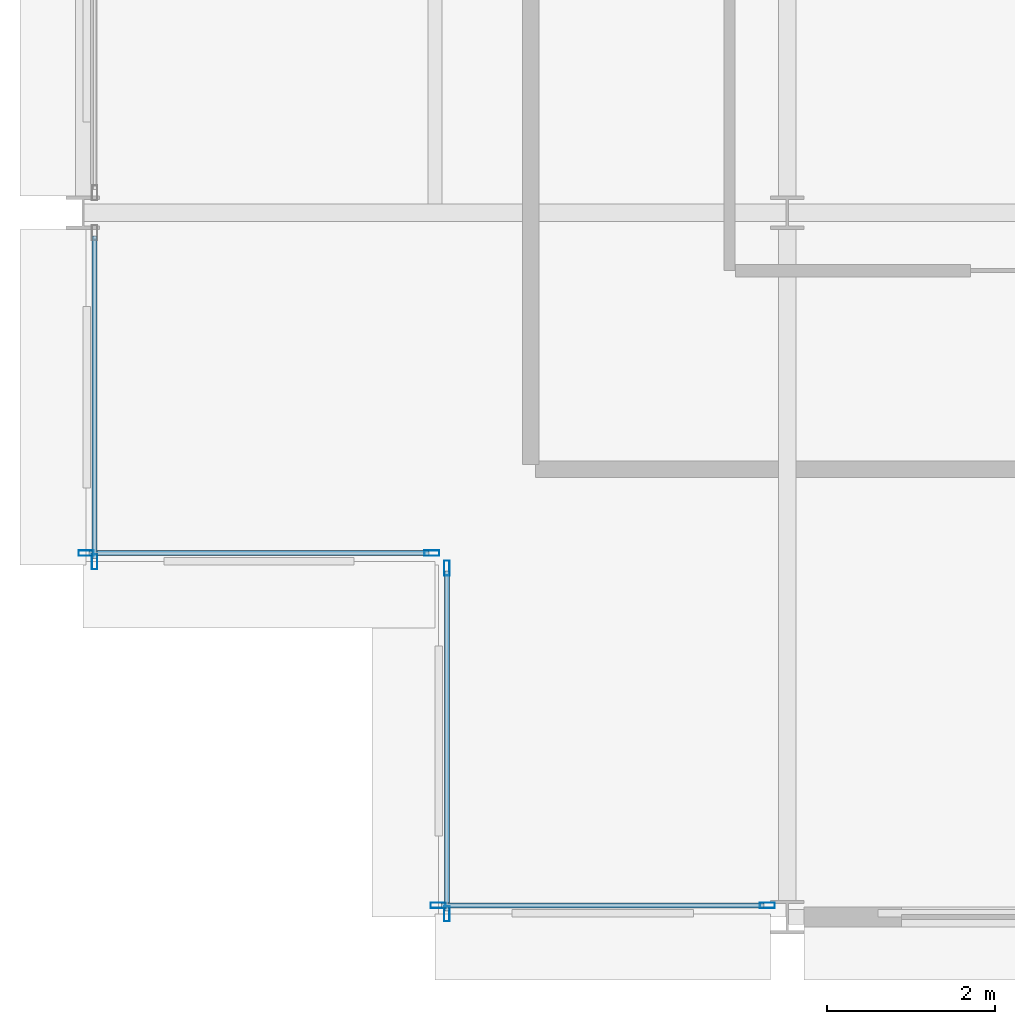
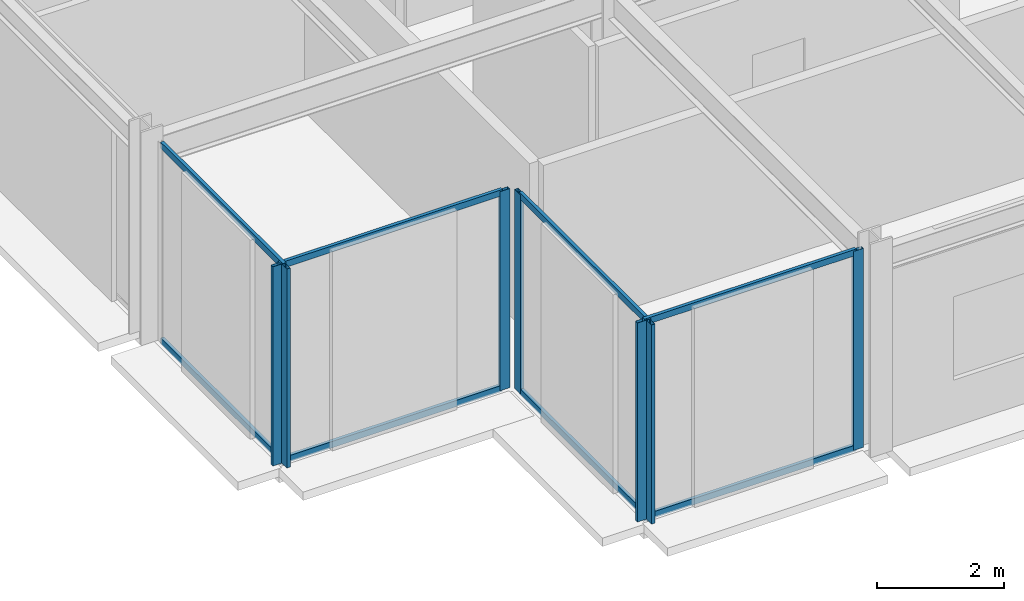
# One storey, part 2 of 30: 15 members, 4 elements without a shape of their own.
"""IFC4 building model written with IfcOpenShell, lengths in metres."""

import ifcopenshell
import ifcopenshell.guid

model = None  # the IFC model being written
_history = None  # IfcOwnerHistory: only IFC2X3 demands one
_inside = {}  # id of a spatial element -> (the spatial element, [elements in it])
_under = {}  # id of a project, library or spatial element -> (it, [spatial elements below it])
_declared = {}  # id of a project -> (the project, [libraries it declares])
_typed = {}  # id of a type object -> (the type object, [elements of that type])
_made_of = {}  # id of a material, layer set ... -> (it, [elements and type objects made of it])


def new_model(schema):
    """Start an empty IFC model of exactly this schema.

    Asked for "IFC4X3", IfcOpenShell would pick the latest addendum, in which some entities
    have other attributes; the version numbers below select the first issue.
    IFC2X3 requires an IfcOwnerHistory on every rooted entity: one is made here for all.
    """
    global model, _history
    if schema == "IFC4X3":
        model = ifcopenshell.file(schema_version=(4, 3, 0, 0))
    else:
        model = ifcopenshell.file(schema=schema)
    _inside.clear()
    _under.clear()
    _declared.clear()
    _typed.clear()
    _made_of.clear()
    _history = None
    if model.schema == "IFC2X3":
        org = make("IfcOrganization", Name="unknown")
        user = make(
            "IfcPersonAndOrganization",
            ThePerson=make("IfcPerson", FamilyName="unknown"),
            TheOrganization=org,
        )
        app = make(
            "IfcApplication",
            ApplicationDeveloper=org,
            Version="unknown",
            ApplicationFullName="unknown",
            ApplicationIdentifier="unknown",
        )
        _history = make(
            "IfcOwnerHistory",
            OwningUser=user,
            OwningApplication=app,
            ChangeAction="ADDED",
            CreationDate=0,
        )
    return model


def make(cls, **values):
    """One entity of the class cls with the attributes given. An attribute that is None is left unset."""
    return model.create_entity(
        cls, **{name: value for name, value in values.items() if value is not None}
    )


def rooted(cls, **values):
    """An entity with a GlobalId (a new one), such as an element, a storey or a relation."""
    return make(cls, GlobalId=ifcopenshell.guid.new(), OwnerHistory=_history, **values)


def si_unit(unit_type, name, prefix=None):
    """IfcSIUnit, for example si_unit("LENGTHUNIT", "METRE", prefix="MILLI")."""
    return make("IfcSIUnit", UnitType=unit_type, Prefix=prefix, Name=name)


def assignment(units):
    """IfcUnitAssignment: the units of a project."""
    return None if units is None else make("IfcUnitAssignment", Units=units)


def point(xyz):
    """IfcCartesianPoint."""
    return None if xyz is None else make("IfcCartesianPoint", Coordinates=xyz)


def direction(xyz):
    """IfcDirection."""
    return None if xyz is None else make("IfcDirection", DirectionRatios=xyz)


def frame(location, z_axis=None, x_axis=None):
    """IfcAxis2Placement3D, a coordinate frame: its origin and axes. An axis left out is left unset."""
    return make(
        "IfcAxis2Placement3D",
        Location=point(location),
        Axis=direction(z_axis),
        RefDirection=direction(x_axis),
    )


def frame_2d(location, x_axis=None):
    """IfcAxis2Placement2D, a coordinate frame in the plane: its origin and x axis."""
    return make(
        "IfcAxis2Placement2D", Location=point(location), RefDirection=direction(x_axis)
    )


def origin():
    """The frame at (0, 0, 0) with its axes left unset."""
    return frame((0.0, 0.0, 0.0))


def origin_2d():
    """The frame at (0, 0) in the plane with its x axis left unset."""
    return frame_2d((0.0, 0.0))


def place(relative_to, where):
    """IfcLocalPlacement: puts the frame where relative to a parent placement (None: the world)."""
    return make(
        "IfcLocalPlacement", PlacementRelTo=relative_to, RelativePlacement=where
    )


def context(
    kind, dimensions, precision=None, world=None, true_north=None, identifier=None
):
    """IfcGeometricRepresentationContext, for example the 3D "Model" context."""
    return make(
        "IfcGeometricRepresentationContext",
        ContextIdentifier=identifier,
        ContextType=kind,
        CoordinateSpaceDimension=dimensions,
        Precision=precision,
        WorldCoordinateSystem=world,
        TrueNorth=true_north,
    )


def subcontext(parent, identifier, kind, view, scale=None):
    """IfcGeometricRepresentationSubContext, for example "Body" below "Model"."""
    return make(
        "IfcGeometricRepresentationSubContext",
        ContextIdentifier=identifier,
        ContextType=kind,
        ParentContext=parent,
        TargetScale=scale,
        TargetView=view,
    )


def project(units=None, contexts=None):
    """IfcProject with its units and contexts."""
    return rooted(
        "IfcProject",
        Name="project",
        RepresentationContexts=contexts,
        UnitsInContext=assignment(units),
    )


def spatial(cls, under=None, at=None, **own):
    """A site, building, storey or space (cls), placed at a placement, below another one or the project."""
    s = rooted(cls, ObjectPlacement=at, **own)
    if under is not None:
        _under.setdefault(under.id(), (under, []))[1].append(s)
    return s


def profile(cls, at=None, kind="AREA", **sizes):
    """A parametric profile (cls). Its sizes go by their IFC names, for example OverallWidth=200.0."""
    return make(cls, ProfileType=kind, Position=at, **sizes)


def hollow_rectangle(**sizes):
    """IfcRectangleHollowProfileDef."""
    return profile("IfcRectangleHollowProfileDef", **sizes)


def extrude(swept, where, along, depth):
    """IfcExtrudedAreaSolid: the profile swept, set in the frame where, extruded along a direction by depth."""
    return make(
        "IfcExtrudedAreaSolid",
        SweptArea=swept,
        Position=where,
        ExtrudedDirection=direction(along),
        Depth=depth,
    )


def shape(context_of_items, identifier, shape_type, items):
    """IfcShapeRepresentation: the items that make up one representation, for example the "Body"."""
    return make(
        "IfcShapeRepresentation",
        ContextOfItems=context_of_items,
        RepresentationIdentifier=identifier,
        RepresentationType=shape_type,
        Items=items,
    )


def material(Name=None, Category=None):
    """IfcMaterial."""
    return make("IfcMaterial", Name=Name, Category=Category)


def layer(
    of_material, thickness, ventilated=None, Name=None, Category=None, Priority=None
):
    """IfcMaterialLayer: one layer of a wall or slab, of a material (None: an air gap)."""
    return make(
        "IfcMaterialLayer",
        Material=of_material,
        LayerThickness=thickness,
        IsVentilated=ventilated,
        Name=Name,
        Category=Category,
        Priority=Priority,
    )


def layer_set(layers, Name=None):
    """IfcMaterialLayerSet."""
    return make("IfcMaterialLayerSet", MaterialLayers=layers, LayerSetName=Name)


def material_profile(
    of_material, cross_section, Name=None, Category=None, Priority=None
):
    """IfcMaterialProfile: a cross section and its material."""
    return make(
        "IfcMaterialProfile",
        Name=Name,
        Material=of_material,
        Profile=cross_section,
        Priority=Priority,
        Category=Category,
    )


def profile_set(profiles, Name=None, composite=None):
    """IfcMaterialProfileSet."""
    return make(
        "IfcMaterialProfileSet",
        Name=Name,
        MaterialProfiles=profiles,
        CompositeProfile=composite,
    )


def made_of(thing, what):
    """Note that an element or type object is made of a material, layer set ...; save() writes the relation."""
    if what is not None:
        _made_of.setdefault(what.id(), (what, []))[1].append(thing)
    return thing


def type_object(cls, material=None, **own):
    """A type object (cls), such as IfcWallType, which elements share."""
    return made_of(rooted(cls, **own), material)


def element(
    cls,
    number,
    at=None,
    inside=None,
    cuts=None,
    type_object=None,
    material=None,
    context=None,
    identifier="Body",
    shape_type=None,
    held_by="IfcProductDefinitionShape",
    body=None,
    shapes=None,
    **own,
):
    """One element of the class cls, such as IfcWall. Its Tag is "e" and its number.

    at: its placement. inside: the storey or other place that contains it. cuts: it is an
    opening in that element (IfcRelVoidsElement). A single representation is given by context,
    identifier, shape_type and body (its items); several are given by shapes. held_by: the class
    of the entity that holds the representations. save() writes the other relations.
    """
    e = rooted(cls, Tag="e%d" % number, ObjectPlacement=at, **own)
    if body is not None:
        shapes = [shape(context, identifier, shape_type, body)]
    if shapes is not None:
        e.Representation = make(held_by, Representations=shapes)
    if inside is not None:
        _inside.setdefault(inside.id(), (inside, []))[1].append(e)
    if cuts is not None:
        rooted(
            "IfcRelVoidsElement", RelatingBuildingElement=cuts, RelatedOpeningElement=e
        )
    if type_object is not None:
        _typed.setdefault(type_object.id(), (type_object, []))[1].append(e)
    return made_of(e, material)


def aggregate(whole, parts):
    """IfcRelAggregates: a whole, such as a stair, and the parts it consists of."""
    return rooted("IfcRelAggregates", RelatingObject=whole, RelatedObjects=parts)


def save(model, path):
    """Write the relations noted so far, then the file.

    IfcRelAggregates (storeys below a building ...), IfcRelContainedInSpatialStructure (elements
    in a storey), IfcRelDefinesByType, IfcRelAssociatesMaterial and IfcRelDeclares: one each for
    every whole, place, type object, material and project.
    """
    for whole, parts in _under.values():
        aggregate(whole, parts)
    for where, things in _inside.values():
        rooted(
            "IfcRelContainedInSpatialStructure",
            RelatedElements=things,
            RelatingStructure=where,
        )
    for kind, things in _typed.values():
        rooted("IfcRelDefinesByType", RelatedObjects=things, RelatingType=kind)
    for what, things in _made_of.values():
        rooted("IfcRelAssociatesMaterial", RelatedObjects=things, RelatingMaterial=what)
    for by, libraries in _declared.values():
        rooted("IfcRelDeclares", RelatingContext=by, RelatedDefinitions=libraries)
    model.write(path)


model = new_model("IFC4")

# Units and contexts
model_context = context("Model", 3, precision=1e-05, world=origin(), true_north=direction((0.0, 1.0)))
body_context = subcontext(model_context, "Body", "Model", "MODEL_VIEW")
ifc_project = project(units=[si_unit("LENGTHUNIT", "METRE"), si_unit("AREAUNIT", "SQUARE_METRE"), si_unit("VOLUMEUNIT", "CUBIC_METRE"), si_unit("PLANEANGLEUNIT", "RADIAN"), si_unit("MASSUNIT", "GRAM", prefix="KILO")], contexts=[model_context])

# Site, building, storey
site_placement = place(None, origin())
site = spatial("IfcSite", under=ifc_project, at=site_placement, CompositionType="ELEMENT")
building_placement = place(site_placement, origin())
building = spatial("IfcBuilding", under=site, at=building_placement, Name="Nerrivon Quay Data Exchange", CompositionType="ELEMENT")
storey_placement = place(building_placement, frame((0.0, 0.0, 129.5)))
storey = spatial("IfcBuildingStorey", under=building, at=storey_placement, Name="L30", CompositionType="ELEMENT", Elevation=129.5)

# Curtain wall, members
ifc_material = material(Name="Anodised aluminium 6063-T6", Category="aluminium")
ifc_layer = layer(ifc_material, 0.2099609375)
ifc_layer_set = layer_set([ifc_layer], Name="Anodised aluminium 6063-T6")
curtain_wall_type = type_object("IfcCurtainWallType", Name="CW-SYS-02", PredefinedType="NOTDEFINED", material=ifc_layer_set)
curtain_wall_1_placement = place(storey_placement, origin())
curtain_wall_1 = element("IfcCurtainWall", 1, at=curtain_wall_1_placement, inside=storey, type_object=curtain_wall_type, Name="L30 Unitised Curtain Wall 8", PredefinedType="NOTDEFINED")
ifc_material_profile_1 = material_profile(ifc_material, hollow_rectangle(XDim=0.06494140625, YDim=0.179931640625, WallThickness=0.00341796875, at=origin_2d()), Name="ALU-MULL-180x65")
ifc_profile_set_1 = profile_set([ifc_material_profile_1], Name="Anodised aluminium 6063-T6")
member_type_1 = type_object("IfcMemberType", Name="CWM-180x65", PredefinedType="MULLION", material=ifc_profile_set_1)
member_1_placement = place(storey_placement, frame((8.16259765625, 0.139892578125, 0.0), z_axis=(0.0, 0.0, 1.0), x_axis=(0.0, -1.0, 0.0)))
member_1 = element("IfcMember", 2, at=member_1_placement, type_object=member_type_1, Name="CW02 mullion 1", PredefinedType="MULLION", context=body_context, shape_type="SweptSolid", body=[
    extrude(hollow_rectangle(XDim=0.06494140625, YDim=0.179931640625, WallThickness=0.00341796875, at=origin_2d()), origin(), (0.0, 0.0, 1.0), 3.824951171875),
])
member_2_placement = place(storey_placement, frame((4.237548828125, 0.139892578125, 0.0), z_axis=(0.0, 0.0, 1.0), x_axis=(0.0, -1.0, 0.0)))
member_2 = element("IfcMember", 3, at=member_2_placement, type_object=member_type_1, Name="CW02 mullion 2", PredefinedType="MULLION", context=body_context, shape_type="SweptSolid", body=[
    extrude(hollow_rectangle(XDim=0.06494140625, YDim=0.179931640625, WallThickness=0.00341796875, at=origin_2d()), origin(), (0.0, 0.0, 1.0), 3.824951171875),
])

curtain_wall_2_placement = place(storey_placement, origin())
curtain_wall_2 = element("IfcCurtainWall", 4, at=curtain_wall_2_placement, inside=storey, type_object=curtain_wall_type, Name="L30 Unitised Curtain Wall 9", PredefinedType="NOTDEFINED")
member_3_placement = place(storey_placement, frame((4.340087890625, 0.03759765625, 0.0), z_axis=(0.0, 0.0, 1.0), x_axis=(-1.0, 0.0, 0.0)))
member_3 = element("IfcMember", 5, at=member_3_placement, type_object=member_type_1, Name="CW02 mullion 1", PredefinedType="MULLION", context=body_context, shape_type="SweptSolid", body=[
    extrude(hollow_rectangle(XDim=0.06494140625, YDim=0.179931640625, WallThickness=0.00341796875, at=origin_2d()), origin(), (0.0, 0.0, 1.0), 3.824951171875),
])
member_4_placement = place(storey_placement, frame((4.340087890625, 4.16259765625, 0.0), z_axis=(0.0, 0.0, 1.0), x_axis=(-1.0, 0.0, 0.0)))
member_4 = element("IfcMember", 6, at=member_4_placement, type_object=member_type_1, Name="CW02 mullion 2", PredefinedType="MULLION", context=body_context, shape_type="SweptSolid", body=[
    extrude(hollow_rectangle(XDim=0.06494140625, YDim=0.179931640625, WallThickness=0.00341796875, at=origin_2d()), origin(), (0.0, 0.0, 1.0), 3.824951171875),
])

curtain_wall_3_placement = place(storey_placement, origin())
curtain_wall_3 = element("IfcCurtainWall", 7, at=curtain_wall_3_placement, inside=storey, type_object=curtain_wall_type, Name="L30 Unitised Curtain Wall 10", PredefinedType="NOTDEFINED")
member_5_placement = place(storey_placement, frame((4.16259765625, 4.340087890625, 0.0), z_axis=(0.0, 0.0, 1.0), x_axis=(0.0, -1.0, 0.0)))
member_5 = element("IfcMember", 8, at=member_5_placement, type_object=member_type_1, Name="CW02 mullion 1", PredefinedType="MULLION", context=body_context, shape_type="SweptSolid", body=[
    extrude(hollow_rectangle(XDim=0.06494140625, YDim=0.179931640625, WallThickness=0.00341796875, at=origin_2d()), origin(), (0.0, 0.0, 1.0), 3.824951171875),
])
member_6_placement = place(storey_placement, frame((0.03759765625, 4.340087890625, 0.0), z_axis=(0.0, 0.0, 1.0), x_axis=(0.0, -1.0, 0.0)))
member_6 = element("IfcMember", 9, at=member_6_placement, type_object=member_type_1, Name="CW02 mullion 2", PredefinedType="MULLION", context=body_context, shape_type="SweptSolid", body=[
    extrude(hollow_rectangle(XDim=0.06494140625, YDim=0.179931640625, WallThickness=0.00341796875, at=origin_2d()), origin(), (0.0, 0.0, 1.0), 3.824951171875),
])

# Curtain wall, member
curtain_wall_4_placement = place(storey_placement, origin())
curtain_wall_4 = element("IfcCurtainWall", 10, at=curtain_wall_4_placement, inside=storey, type_object=curtain_wall_type, Name="L30 Unitised Curtain Wall 11", PredefinedType="NOTDEFINED")
member_7_placement = place(storey_placement, frame((0.139892578125, 4.237548828125, 0.0), z_axis=(0.0, 0.0, 1.0), x_axis=(-1.0, 0.0, 0.0)))
member_7 = element("IfcMember", 11, at=member_7_placement, type_object=member_type_1, Name="CW02 mullion 1", PredefinedType="MULLION", context=body_context, shape_type="SweptSolid", body=[
    extrude(hollow_rectangle(XDim=0.06494140625, YDim=0.179931640625, WallThickness=0.00341796875, at=origin_2d()), origin(), (0.0, 0.0, 1.0), 3.824951171875),
])

# Member
ifc_material_profile_2 = material_profile(ifc_material, hollow_rectangle(XDim=0.06005859375, YDim=0.1201171875, WallThickness=0.003173828125, at=origin_2d()), Name="ALU-TRAN-120x60")
ifc_profile_set_2 = profile_set([ifc_material_profile_2], Name="Anodised aluminium 6063-T6")
member_type_2 = type_object("IfcMemberType", Name="CWT-120x60", PredefinedType="USERDEFINED", material=ifc_profile_set_2)
member_8_placement = place(storey_placement, frame((8.125, 0.139892578125, 0.032470703125), z_axis=(-1.0, 0.0, 0.0), x_axis=(0.0, -1.0, 0.0)))
member_8 = element("IfcMember", 12, at=member_8_placement, type_object=member_type_2, Name="CW02 transom 1.1", ObjectType="TRANSOM", PredefinedType="USERDEFINED", context=body_context, shape_type="SweptSolid", body=[
    extrude(hollow_rectangle(XDim=0.06005859375, YDim=0.1201171875, WallThickness=0.003173828125, at=origin_2d()), origin(), (0.0, 0.0, 1.0), 3.85009765625),
])

member_9_placement = place(storey_placement, frame((8.125, 0.139892578125, 3.79248046875), z_axis=(-1.0, 0.0, 0.0), x_axis=(0.0, -1.0, 0.0)))
member_9 = element("IfcMember", 13, at=member_9_placement, type_object=member_type_2, Name="CW02 transom 1.2", ObjectType="TRANSOM", PredefinedType="USERDEFINED", context=body_context, shape_type="SweptSolid", body=[
    extrude(hollow_rectangle(XDim=0.06005859375, YDim=0.1201171875, WallThickness=0.003173828125, at=origin_2d()), origin(), (0.0, 0.0, 1.0), 3.85009765625),
])

aggregate(curtain_wall_1, [member_1, member_2, member_8, member_9])

member_10_placement = place(storey_placement, frame((4.340087890625, 0.074951171875, 0.032470703125), z_axis=(0.0, 1.0, 0.0), x_axis=(-1.0, 0.0, 0.0)))
member_10 = element("IfcMember", 14, at=member_10_placement, type_object=member_type_2, Name="CW02 transom 1.1", ObjectType="TRANSOM", PredefinedType="USERDEFINED", context=body_context, shape_type="SweptSolid", body=[
    extrude(hollow_rectangle(XDim=0.06005859375, YDim=0.1201171875, WallThickness=0.003173828125, at=origin_2d()), origin(), (0.0, 0.0, 1.0), 4.050048828125),
])

member_11_placement = place(storey_placement, frame((4.340087890625, 0.074951171875, 3.79248046875), z_axis=(0.0, 1.0, 0.0), x_axis=(-1.0, 0.0, 0.0)))
member_11 = element("IfcMember", 15, at=member_11_placement, type_object=member_type_2, Name="CW02 transom 1.2", ObjectType="TRANSOM", PredefinedType="USERDEFINED", context=body_context, shape_type="SweptSolid", body=[
    extrude(hollow_rectangle(XDim=0.06005859375, YDim=0.1201171875, WallThickness=0.003173828125, at=origin_2d()), origin(), (0.0, 0.0, 1.0), 4.050048828125),
])

aggregate(curtain_wall_2, [member_3, member_4, member_10, member_11])

member_12_placement = place(storey_placement, frame((4.125, 4.340087890625, 0.032470703125), z_axis=(-1.0, 0.0, 0.0), x_axis=(0.0, -1.0, 0.0)))
member_12 = element("IfcMember", 16, at=member_12_placement, type_object=member_type_2, Name="CW02 transom 1.1", ObjectType="TRANSOM", PredefinedType="USERDEFINED", context=body_context, shape_type="SweptSolid", body=[
    extrude(hollow_rectangle(XDim=0.06005859375, YDim=0.1201171875, WallThickness=0.003173828125, at=origin_2d()), origin(), (0.0, 0.0, 1.0), 4.050048828125),
])

member_13_placement = place(storey_placement, frame((4.125, 4.340087890625, 3.79248046875), z_axis=(-1.0, 0.0, 0.0), x_axis=(0.0, -1.0, 0.0)))
member_13 = element("IfcMember", 17, at=member_13_placement, type_object=member_type_2, Name="CW02 transom 1.2", ObjectType="TRANSOM", PredefinedType="USERDEFINED", context=body_context, shape_type="SweptSolid", body=[
    extrude(hollow_rectangle(XDim=0.06005859375, YDim=0.1201171875, WallThickness=0.003173828125, at=origin_2d()), origin(), (0.0, 0.0, 1.0), 4.050048828125),
])

aggregate(curtain_wall_3, [member_5, member_6, member_12, member_13])

member_14_placement = place(storey_placement, frame((0.139892578125, 4.27490234375, 0.032470703125), z_axis=(0.0, 1.0, 0.0), x_axis=(-1.0, 0.0, 0.0)))
member_14 = element("IfcMember", 18, at=member_14_placement, type_object=member_type_2, Name="CW02 transom 1.1", ObjectType="TRANSOM", PredefinedType="USERDEFINED", context=body_context, shape_type="SweptSolid", body=[
    extrude(hollow_rectangle(XDim=0.06005859375, YDim=0.1201171875, WallThickness=0.003173828125, at=origin_2d()), origin(), (0.0, 0.0, 1.0), 3.85009765625),
])

member_15_placement = place(storey_placement, frame((0.139892578125, 4.27490234375, 3.79248046875), z_axis=(0.0, 1.0, 0.0), x_axis=(-1.0, 0.0, 0.0)))
member_15 = element("IfcMember", 19, at=member_15_placement, type_object=member_type_2, Name="CW02 transom 1.2", ObjectType="TRANSOM", PredefinedType="USERDEFINED", context=body_context, shape_type="SweptSolid", body=[
    extrude(hollow_rectangle(XDim=0.06005859375, YDim=0.1201171875, WallThickness=0.003173828125, at=origin_2d()), origin(), (0.0, 0.0, 1.0), 3.85009765625),
])

aggregate(curtain_wall_4, [member_7, member_14, member_15])

save(model, "model.ifc")
